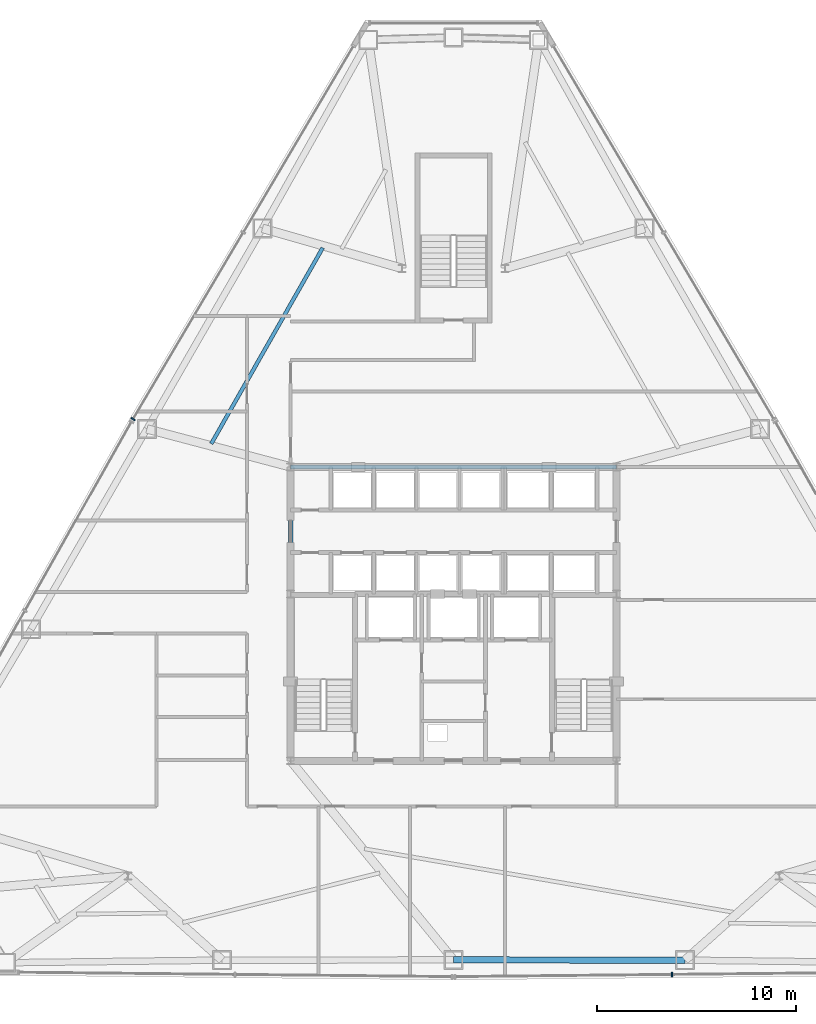
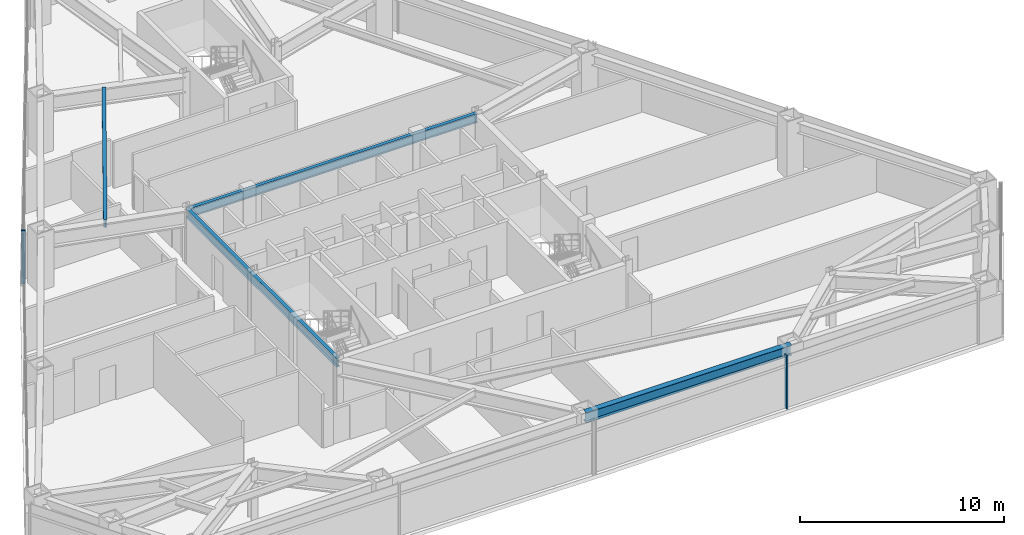
# One storey, part 5 of 13: 4 beams, 2 members, 2 elements without a shape of their own.
"""IFC4 building model written with IfcOpenShell, lengths in metres."""

from ifc_helpers import new_model, si_unit, direction, frame, origin, origin_2d, place, context, subcontext, project, spatial, rectangle, i_section, extrude, source, transform, mapped, material, layer, layer_set, material_profile, profile_set, type_object, type_shapes, element, aggregate, save


model = new_model("IFC4")

# Units and contexts
model_context = context("Model", 3, precision=1e-05, world=origin(), true_north=direction((0.0, 1.0)))
body_context = subcontext(model_context, "Body", "Model", "MODEL_VIEW")
ifc_project = project(units=[si_unit("LENGTHUNIT", "METRE"), si_unit("AREAUNIT", "SQUARE_METRE"), si_unit("VOLUMEUNIT", "CUBIC_METRE"), si_unit("PLANEANGLEUNIT", "RADIAN"), si_unit("MASSUNIT", "GRAM", prefix="KILO")], contexts=[model_context])

# Site, building, storey
site_placement = place(None, origin())
site = spatial("IfcSite", under=ifc_project, at=site_placement, CompositionType="ELEMENT")
building_placement = place(site_placement, origin())
building = spatial("IfcBuilding", under=site, at=building_placement, Name="Varakhsha Concourse Tower", CompositionType="ELEMENT")
storey_placement = place(building_placement, frame((0.0, 0.0, 116.0)))
storey = spatial("IfcBuildingStorey", under=building, at=storey_placement, Name="L33", CompositionType="ELEMENT", Elevation=116.0)

# Beams
ifc_material_1 = material(Name="Structural Steel ASTM A992 Grade 50", Category="steel")
ifc_material_profile_1 = material_profile(ifc_material_1, i_section(OverallWidth=0.19091796875, OverallDepth=0.45703125, WebThickness=0.009033203125, FlangeThickness=0.013916015625, at=origin_2d()), Name="W18X50")
ifc_profile_set_1 = profile_set([ifc_material_profile_1], Name="Structural Steel ASTM A992 Grade 50")
beam_type_1 = type_object("IfcBeamType", Name="BM-JST-W18X50", PredefinedType="JOIST", material=ifc_profile_set_1)
beam_1_placement = place(storey_placement, frame((33.413818359375, 42.232421875, 2.9814453125), z_axis=(-0.494486426885, -0.869185350559, 0.0), x_axis=(0.869185350559, -0.494486426885, 0.0)))
element("IfcBeam", 1, at=beam_1_placement, inside=storey, type_object=beam_type_1, Name="BM-TJST-L33-04", PredefinedType="JOIST", context=body_context, shape_type="SweptSolid", body=[
    extrude(i_section(OverallWidth=0.19091796875, OverallDepth=0.45703125, WebThickness=0.009033203125, FlangeThickness=0.013916015625, at=origin_2d()), origin(), (0.0, 0.0, 1.0), 11.350341796875),
])
ifc_material_profile_2 = material_profile(ifc_material_1, i_section(OverallWidth=0.2109375, OverallDepth=0.5390625, WebThickness=0.011962890625, FlangeThickness=0.01904296875, at=origin_2d()), Name="W21X73")
ifc_profile_set_2 = profile_set([ifc_material_profile_2], Name="Structural Steel ASTM A992 Grade 50")
beam_type_2 = type_object("IfcBeamType", Name="BM-RAD-W21X73", PredefinedType="BEAM", material=ifc_profile_set_2)
beam_2_placement = place(storey_placement, frame((31.800048828125, 31.199951171875, 2.9404296875), z_axis=(1.0, 0.0, 0.0), x_axis=(0.0, 1.0, 0.0)))
element("IfcBeam", 2, at=beam_2_placement, inside=storey, type_object=beam_type_2, Name="BM-TCORE-L33-CN", PredefinedType="BEAM", context=body_context, shape_type="SweptSolid", body=[
    extrude(i_section(OverallWidth=0.2109375, OverallDepth=0.5390625, WebThickness=0.011962890625, FlangeThickness=0.01904296875, at=origin_2d()), origin(), (0.0, 0.0, 1.0), 16.39990234375),
])
beam_3_placement = place(storey_placement, frame((31.800048828125, 16.39990234375, 2.9404296875), z_axis=(0.0, 1.0, 0.0), x_axis=(-1.0, 0.0, 0.0)))
element("IfcBeam", 3, at=beam_3_placement, inside=storey, type_object=beam_type_2, Name="BM-TCORE-L33-CW", PredefinedType="BEAM", context=body_context, shape_type="SweptSolid", body=[
    extrude(i_section(OverallWidth=0.2109375, OverallDepth=0.5390625, WebThickness=0.011962890625, FlangeThickness=0.01904296875, at=origin_2d()), origin(), (0.0, 0.0, 1.0), 14.800048828125),
])
ifc_material_profile_3 = material_profile(ifc_material_1, i_section(OverallWidth=0.323974609375, OverallDepth=0.611083984375, WebThickness=0.012939453125, FlangeThickness=0.01904296875, at=origin_2d()), Name="W24X104")
ifc_profile_set_3 = profile_set([ifc_material_profile_3], Name="Structural Steel ASTM A992 Grade 50")
beam_type_3 = type_object("IfcBeamType", Name="BM-SPAN-W24X104", PredefinedType="SPANDREL", material=ifc_profile_set_3)
beam_4_placement = place(storey_placement, frame((40.0, 6.373779296875, 2.904541015625), z_axis=(0.999999383854, -0.001110086447, 0.0), x_axis=(0.001110086447, 0.999999383854, 0.0)))
element("IfcBeam", 4, at=beam_4_placement, inside=storey, type_object=beam_type_3, Name="BM-SPAN-L33-11", PredefinedType="SPANDREL", context=body_context, shape_type="SweptSolid", body=[
    extrude(i_section(OverallWidth=0.323974609375, OverallDepth=0.611083984375, WebThickness=0.012939453125, FlangeThickness=0.01904296875, at=origin_2d()), origin(), (0.0, 0.0, 1.0), 11.65625),
])

# Curtain wall, member
ifc_material_2 = material(Name="Anodised Bronze Architectural Aluminium AA 6063-T6", Category="aluminium")
ifc_layer = layer(ifc_material_2, 0.2099609375, Name="CW-SYS-04")
ifc_layer_set = layer_set([ifc_layer], Name="Anodised Bronze Architectural Aluminium AA 6063-T6")
curtain_wall_type = type_object("IfcCurtainWallType", Name="CW-SYS-04", PredefinedType="NOTDEFINED", material=ifc_layer_set)
curtain_wall_1_placement = place(storey_placement, origin())
curtain_wall_1 = element("IfcCurtainWall", 5, at=curtain_wall_1_placement, inside=storey, type_object=curtain_wall_type, Name="L33 Crystal Curtain Wall F2", PredefinedType="NOTDEFINED")
ifc_material_profile_4 = material_profile(ifc_material_2, rectangle(XDim=0.074951171875, YDim=0.219970703125, at=origin_2d()), Name="CWM-220X75")
ifc_profile_set_4 = profile_set([ifc_material_profile_4], Name="Anodised Bronze Architectural Aluminium AA 6063-T6")
member_type = type_object("IfcMemberType", Name="CWM-220X75", PredefinedType="MULLION", material=ifc_profile_set_4)
shared_shape = source(origin(), body_context, "Body", "SweptSolid", [
    extrude(rectangle(XDim=0.074951171875, YDim=0.219970703125, at=origin_2d()), origin(), (0.0, 0.0, 1.0), 3.2099609375),
])
type_shapes(member_type, [shared_shape])
member_1_placement = place(storey_placement, frame((23.864013671875, 33.6064453125, 0.0), z_axis=(0.0, 0.0, 1.0), x_axis=(0.508814554061, 0.860876152287, 0.0)))
member_1 = element("IfcMember", 6, at=member_1_placement, type_object=member_type, Name="CW-L33-F2 Mullion 00", PredefinedType="MULLION", context=body_context, shape_type="MappedRepresentation", body=[
    mapped(shared_shape, transform((0.0, 0.0, 0.0), scale=1.0)),
])
aggregate(curtain_wall_1, [member_1])

curtain_wall_2_placement = place(storey_placement, origin())
curtain_wall_2 = element("IfcCurtainWall", 7, at=curtain_wall_2_placement, inside=storey, type_object=curtain_wall_type, Name="L33 Crystal Curtain Wall F6", PredefinedType="NOTDEFINED")
member_2_placement = place(storey_placement, frame((50.99365234375, 5.634033203125, 0.0), z_axis=(0.0, 0.0, 1.0), x_axis=(-0.99994793005, -0.010204763012, 0.0)))
member_2 = element("IfcMember", 8, at=member_2_placement, type_object=member_type, Name="CW-L33-F6 Mullion 01", PredefinedType="MULLION", context=body_context, shape_type="MappedRepresentation", body=[
    mapped(shared_shape, transform((0.0, 0.0, 0.0), scale=1.0)),
])
aggregate(curtain_wall_2, [member_2])

save(model, "model.ifc")
